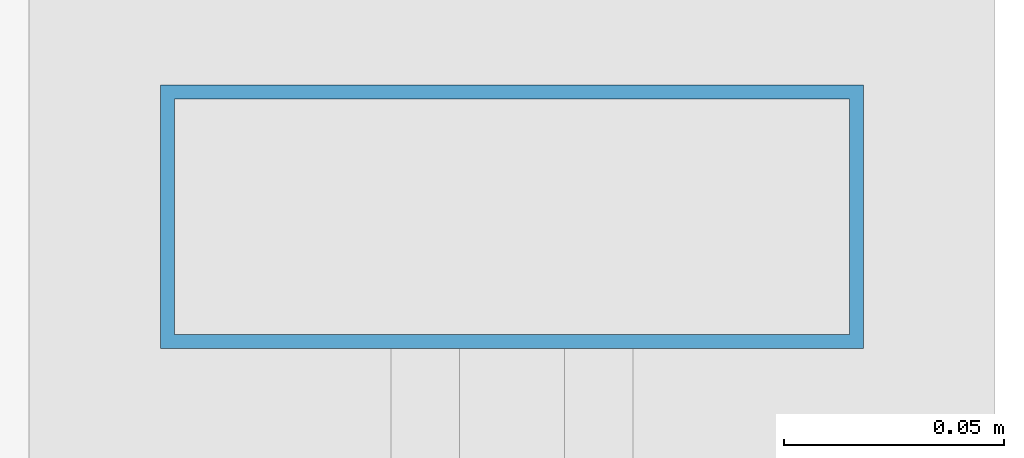
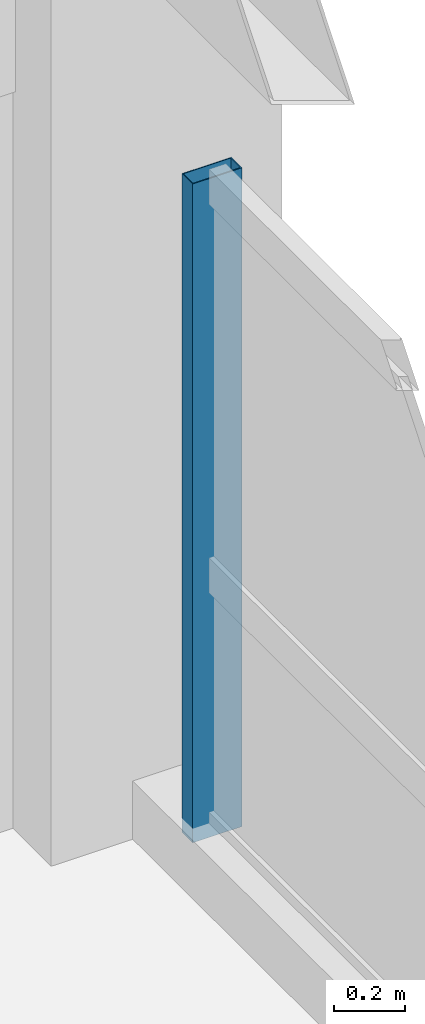
# One storey, part 14 of 20: 1 member, 1 element without a shape of its own.
"""IFC4 building model written with IfcOpenShell, lengths in metres."""

import ifcopenshell
import ifcopenshell.guid

model = None  # the IFC model being written
_history = None  # IfcOwnerHistory: only IFC2X3 demands one
_inside = {}  # id of a spatial element -> (the spatial element, [elements in it])
_under = {}  # id of a project, library or spatial element -> (it, [spatial elements below it])
_declared = {}  # id of a project -> (the project, [libraries it declares])
_typed = {}  # id of a type object -> (the type object, [elements of that type])
_made_of = {}  # id of a material, layer set ... -> (it, [elements and type objects made of it])


def new_model(schema):
    """Start an empty IFC model of exactly this schema.

    Asked for "IFC4X3", IfcOpenShell would pick the latest addendum, in which some entities
    have other attributes; the version numbers below select the first issue.
    IFC2X3 requires an IfcOwnerHistory on every rooted entity: one is made here for all.
    """
    global model, _history
    if schema == "IFC4X3":
        model = ifcopenshell.file(schema_version=(4, 3, 0, 0))
    else:
        model = ifcopenshell.file(schema=schema)
    _inside.clear()
    _under.clear()
    _declared.clear()
    _typed.clear()
    _made_of.clear()
    _history = None
    if model.schema == "IFC2X3":
        org = make("IfcOrganization", Name="unknown")
        user = make(
            "IfcPersonAndOrganization",
            ThePerson=make("IfcPerson", FamilyName="unknown"),
            TheOrganization=org,
        )
        app = make(
            "IfcApplication",
            ApplicationDeveloper=org,
            Version="unknown",
            ApplicationFullName="unknown",
            ApplicationIdentifier="unknown",
        )
        _history = make(
            "IfcOwnerHistory",
            OwningUser=user,
            OwningApplication=app,
            ChangeAction="ADDED",
            CreationDate=0,
        )
    return model


def make(cls, **values):
    """One entity of the class cls with the attributes given. An attribute that is None is left unset."""
    return model.create_entity(
        cls, **{name: value for name, value in values.items() if value is not None}
    )


def rooted(cls, **values):
    """An entity with a GlobalId (a new one), such as an element, a storey or a relation."""
    return make(cls, GlobalId=ifcopenshell.guid.new(), OwnerHistory=_history, **values)


def si_unit(unit_type, name, prefix=None):
    """IfcSIUnit, for example si_unit("LENGTHUNIT", "METRE", prefix="MILLI")."""
    return make("IfcSIUnit", UnitType=unit_type, Prefix=prefix, Name=name)


def assignment(units):
    """IfcUnitAssignment: the units of a project."""
    return None if units is None else make("IfcUnitAssignment", Units=units)


def point(xyz):
    """IfcCartesianPoint."""
    return None if xyz is None else make("IfcCartesianPoint", Coordinates=xyz)


def direction(xyz):
    """IfcDirection."""
    return None if xyz is None else make("IfcDirection", DirectionRatios=xyz)


def frame(location, z_axis=None, x_axis=None):
    """IfcAxis2Placement3D, a coordinate frame: its origin and axes. An axis left out is left unset."""
    return make(
        "IfcAxis2Placement3D",
        Location=point(location),
        Axis=direction(z_axis),
        RefDirection=direction(x_axis),
    )


def frame_2d(location, x_axis=None):
    """IfcAxis2Placement2D, a coordinate frame in the plane: its origin and x axis."""
    return make(
        "IfcAxis2Placement2D", Location=point(location), RefDirection=direction(x_axis)
    )


def origin():
    """The frame at (0, 0, 0) with its axes left unset."""
    return frame((0.0, 0.0, 0.0))


def origin_2d():
    """The frame at (0, 0) in the plane with its x axis left unset."""
    return frame_2d((0.0, 0.0))


def place(relative_to, where):
    """IfcLocalPlacement: puts the frame where relative to a parent placement (None: the world)."""
    return make(
        "IfcLocalPlacement", PlacementRelTo=relative_to, RelativePlacement=where
    )


def context(
    kind, dimensions, precision=None, world=None, true_north=None, identifier=None
):
    """IfcGeometricRepresentationContext, for example the 3D "Model" context."""
    return make(
        "IfcGeometricRepresentationContext",
        ContextIdentifier=identifier,
        ContextType=kind,
        CoordinateSpaceDimension=dimensions,
        Precision=precision,
        WorldCoordinateSystem=world,
        TrueNorth=true_north,
    )


def subcontext(parent, identifier, kind, view, scale=None):
    """IfcGeometricRepresentationSubContext, for example "Body" below "Model"."""
    return make(
        "IfcGeometricRepresentationSubContext",
        ContextIdentifier=identifier,
        ContextType=kind,
        ParentContext=parent,
        TargetScale=scale,
        TargetView=view,
    )


def project(units=None, contexts=None):
    """IfcProject with its units and contexts."""
    return rooted(
        "IfcProject",
        Name="project",
        RepresentationContexts=contexts,
        UnitsInContext=assignment(units),
    )


def spatial(cls, under=None, at=None, **own):
    """A site, building, storey or space (cls), placed at a placement, below another one or the project."""
    s = rooted(cls, ObjectPlacement=at, **own)
    if under is not None:
        _under.setdefault(under.id(), (under, []))[1].append(s)
    return s


def profile(cls, at=None, kind="AREA", **sizes):
    """A parametric profile (cls). Its sizes go by their IFC names, for example OverallWidth=200.0."""
    return make(cls, ProfileType=kind, Position=at, **sizes)


def hollow_rectangle(**sizes):
    """IfcRectangleHollowProfileDef."""
    return profile("IfcRectangleHollowProfileDef", **sizes)


def extrude(swept, where, along, depth):
    """IfcExtrudedAreaSolid: the profile swept, set in the frame where, extruded along a direction by depth."""
    return make(
        "IfcExtrudedAreaSolid",
        SweptArea=swept,
        Position=where,
        ExtrudedDirection=direction(along),
        Depth=depth,
    )


def shape(context_of_items, identifier, shape_type, items):
    """IfcShapeRepresentation: the items that make up one representation, for example the "Body"."""
    return make(
        "IfcShapeRepresentation",
        ContextOfItems=context_of_items,
        RepresentationIdentifier=identifier,
        RepresentationType=shape_type,
        Items=items,
    )


def material(Name=None, Category=None):
    """IfcMaterial."""
    return make("IfcMaterial", Name=Name, Category=Category)


def material_profile(
    of_material, cross_section, Name=None, Category=None, Priority=None
):
    """IfcMaterialProfile: a cross section and its material."""
    return make(
        "IfcMaterialProfile",
        Name=Name,
        Material=of_material,
        Profile=cross_section,
        Priority=Priority,
        Category=Category,
    )


def profile_set(profiles, Name=None, composite=None):
    """IfcMaterialProfileSet."""
    return make(
        "IfcMaterialProfileSet",
        Name=Name,
        MaterialProfiles=profiles,
        CompositeProfile=composite,
    )


def made_of(thing, what):
    """Note that an element or type object is made of a material, layer set ...; save() writes the relation."""
    if what is not None:
        _made_of.setdefault(what.id(), (what, []))[1].append(thing)
    return thing


def type_object(cls, material=None, **own):
    """A type object (cls), such as IfcWallType, which elements share."""
    return made_of(rooted(cls, **own), material)


def element(
    cls,
    number,
    at=None,
    inside=None,
    cuts=None,
    type_object=None,
    material=None,
    context=None,
    identifier="Body",
    shape_type=None,
    held_by="IfcProductDefinitionShape",
    body=None,
    shapes=None,
    **own,
):
    """One element of the class cls, such as IfcWall. Its Tag is "e" and its number.

    at: its placement. inside: the storey or other place that contains it. cuts: it is an
    opening in that element (IfcRelVoidsElement). A single representation is given by context,
    identifier, shape_type and body (its items); several are given by shapes. held_by: the class
    of the entity that holds the representations. save() writes the other relations.
    """
    e = rooted(cls, Tag="e%d" % number, ObjectPlacement=at, **own)
    if body is not None:
        shapes = [shape(context, identifier, shape_type, body)]
    if shapes is not None:
        e.Representation = make(held_by, Representations=shapes)
    if inside is not None:
        _inside.setdefault(inside.id(), (inside, []))[1].append(e)
    if cuts is not None:
        rooted(
            "IfcRelVoidsElement", RelatingBuildingElement=cuts, RelatedOpeningElement=e
        )
    if type_object is not None:
        _typed.setdefault(type_object.id(), (type_object, []))[1].append(e)
    return made_of(e, material)


def aggregate(whole, parts):
    """IfcRelAggregates: a whole, such as a stair, and the parts it consists of."""
    return rooted("IfcRelAggregates", RelatingObject=whole, RelatedObjects=parts)


def save(model, path):
    """Write the relations noted so far, then the file.

    IfcRelAggregates (storeys below a building ...), IfcRelContainedInSpatialStructure (elements
    in a storey), IfcRelDefinesByType, IfcRelAssociatesMaterial and IfcRelDeclares: one each for
    every whole, place, type object, material and project.
    """
    for whole, parts in _under.values():
        aggregate(whole, parts)
    for where, things in _inside.values():
        rooted(
            "IfcRelContainedInSpatialStructure",
            RelatedElements=things,
            RelatingStructure=where,
        )
    for kind, things in _typed.values():
        rooted("IfcRelDefinesByType", RelatedObjects=things, RelatingType=kind)
    for what, things in _made_of.values():
        rooted("IfcRelAssociatesMaterial", RelatedObjects=things, RelatingMaterial=what)
    for by, libraries in _declared.values():
        rooted("IfcRelDeclares", RelatingContext=by, RelatedDefinitions=libraries)
    model.write(path)


model = new_model("IFC4")

# Units and contexts
model_context = context("Model", 3, precision=1e-05, world=origin(), true_north=direction((0.0, 1.0)))
body_context = subcontext(model_context, "Body", "Model", "MODEL_VIEW")
ifc_project = project(units=[si_unit("LENGTHUNIT", "METRE"), si_unit("AREAUNIT", "SQUARE_METRE"), si_unit("VOLUMEUNIT", "CUBIC_METRE"), si_unit("PLANEANGLEUNIT", "RADIAN"), si_unit("MASSUNIT", "GRAM", prefix="KILO")], contexts=[model_context])

# Site, building, storey
site_placement = place(None, origin())
site = spatial("IfcSite", under=ifc_project, at=site_placement, CompositionType="ELEMENT")
building_placement = place(site_placement, origin())
building = spatial("IfcBuilding", under=site, at=building_placement, Name="Kaldorvane Square Convention Centre", CompositionType="ELEMENT")
storey_placement = place(building_placement, frame((0.0, 0.0, 52.80000305175781)))
storey = spatial("IfcBuildingStorey", under=building, at=storey_placement, Name="L12", CompositionType="ELEMENT", Elevation=52.80000305175781)

# Curtain wall, member
ifc_material = material(Name="Anodized Aluminum and Low-E Insulated Glazing", Category="aluminium")
curtain_wall_type = type_object("IfcCurtainWallType", Name="CW-UNI-HTL-A", PredefinedType="USERDEFINED", material=ifc_material)
curtain_wall_placement = place(storey_placement, origin())
curtain_wall = element("IfcCurtainWall", 1, at=curtain_wall_placement, inside=storey, type_object=curtain_wall_type, Name="Curtain Wall CW-10 (L12)", ObjectType="UNITISED GLAZING", PredefinedType="USERDEFINED")
ifc_material_profile = material_profile(ifc_material, hollow_rectangle(XDim=0.05999755859375, YDim=0.160003662109375, WallThickness=0.003204345703125, at=origin_2d()), Name="CWM-160X60")
ifc_profile_set = profile_set([ifc_material_profile], Name="Anodized Aluminum and Low-E Insulated Glazing")
member_type = type_object("IfcMemberType", Name="CW-MUL-160", PredefinedType="MULLION", material=ifc_profile_set)
member_placement = place(storey_placement, frame((84.0, 116.3699951171875, 0.149993896484375), z_axis=(0.0, 0.0, 1.0), x_axis=(0.0, 1.0, 0.0)))
member = element("IfcMember", 2, at=member_placement, type_object=member_type, Name="CW-10 mullion 4", PredefinedType="MULLION", context=body_context, shape_type="SweptSolid", body=[
    extrude(hollow_rectangle(XDim=0.05999755859375, YDim=0.160003662109375, WallThickness=0.003204345703125, at=origin_2d()), origin(), (0.0, 0.0, 1.0), 2.260009765625),
])
aggregate(curtain_wall, [member])

save(model, "model.ifc")
